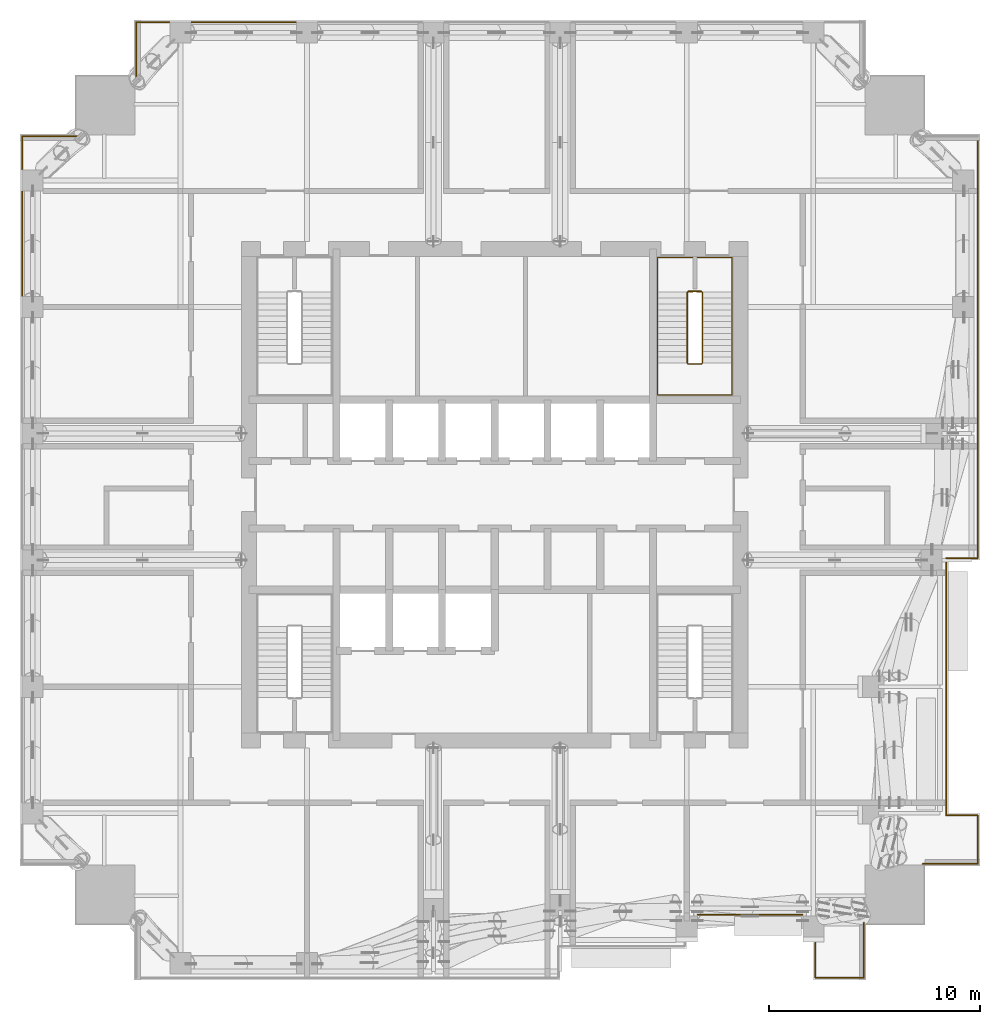
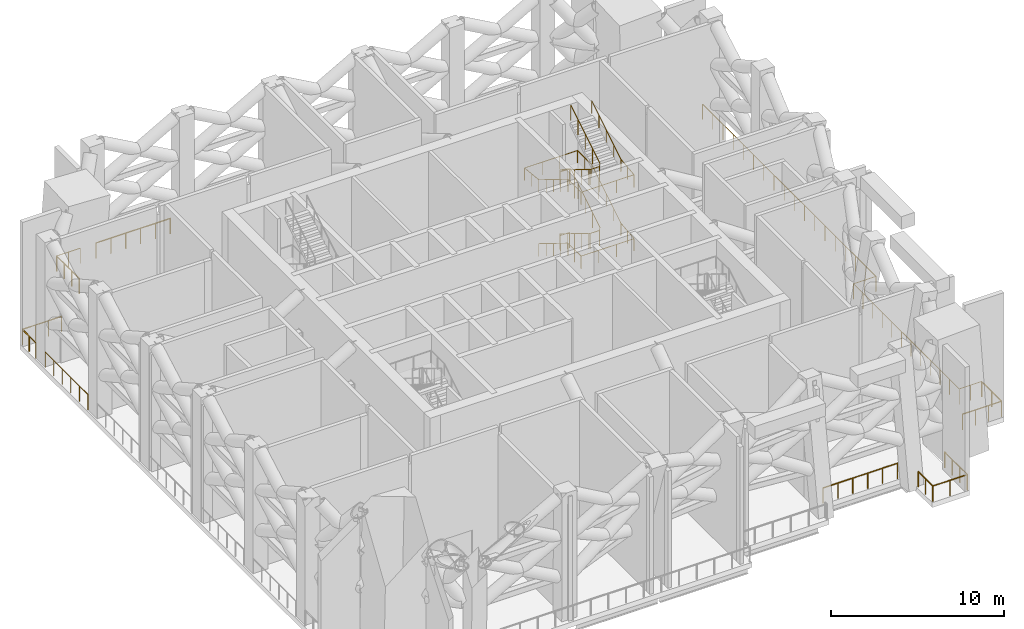
# One storey, part 17 of 18: 18 railings.
"""IFC4 building model written with IfcOpenShell, lengths in metres."""

import ifcopenshell
import ifcopenshell.guid

model = None  # the IFC model being written
_history = None  # IfcOwnerHistory: only IFC2X3 demands one
_inside = {}  # id of a spatial element -> (the spatial element, [elements in it])
_under = {}  # id of a project, library or spatial element -> (it, [spatial elements below it])
_declared = {}  # id of a project -> (the project, [libraries it declares])
_typed = {}  # id of a type object -> (the type object, [elements of that type])
_made_of = {}  # id of a material, layer set ... -> (it, [elements and type objects made of it])


def new_model(schema):
    """Start an empty IFC model of exactly this schema.

    Asked for "IFC4X3", IfcOpenShell would pick the latest addendum, in which some entities
    have other attributes; the version numbers below select the first issue.
    IFC2X3 requires an IfcOwnerHistory on every rooted entity: one is made here for all.
    """
    global model, _history
    if schema == "IFC4X3":
        model = ifcopenshell.file(schema_version=(4, 3, 0, 0))
    else:
        model = ifcopenshell.file(schema=schema)
    _inside.clear()
    _under.clear()
    _declared.clear()
    _typed.clear()
    _made_of.clear()
    _history = None
    if model.schema == "IFC2X3":
        org = make("IfcOrganization", Name="unknown")
        user = make(
            "IfcPersonAndOrganization",
            ThePerson=make("IfcPerson", FamilyName="unknown"),
            TheOrganization=org,
        )
        app = make(
            "IfcApplication",
            ApplicationDeveloper=org,
            Version="unknown",
            ApplicationFullName="unknown",
            ApplicationIdentifier="unknown",
        )
        _history = make(
            "IfcOwnerHistory",
            OwningUser=user,
            OwningApplication=app,
            ChangeAction="ADDED",
            CreationDate=0,
        )
    return model


def make(cls, **values):
    """One entity of the class cls with the attributes given. An attribute that is None is left unset."""
    return model.create_entity(
        cls, **{name: value for name, value in values.items() if value is not None}
    )


def rooted(cls, **values):
    """An entity with a GlobalId (a new one), such as an element, a storey or a relation."""
    return make(cls, GlobalId=ifcopenshell.guid.new(), OwnerHistory=_history, **values)


def si_unit(unit_type, name, prefix=None):
    """IfcSIUnit, for example si_unit("LENGTHUNIT", "METRE", prefix="MILLI")."""
    return make("IfcSIUnit", UnitType=unit_type, Prefix=prefix, Name=name)


def assignment(units):
    """IfcUnitAssignment: the units of a project."""
    return None if units is None else make("IfcUnitAssignment", Units=units)


def point(xyz):
    """IfcCartesianPoint."""
    return None if xyz is None else make("IfcCartesianPoint", Coordinates=xyz)


def direction(xyz):
    """IfcDirection."""
    return None if xyz is None else make("IfcDirection", DirectionRatios=xyz)


def frame(location, z_axis=None, x_axis=None):
    """IfcAxis2Placement3D, a coordinate frame: its origin and axes. An axis left out is left unset."""
    return make(
        "IfcAxis2Placement3D",
        Location=point(location),
        Axis=direction(z_axis),
        RefDirection=direction(x_axis),
    )


def frame_2d(location, x_axis=None):
    """IfcAxis2Placement2D, a coordinate frame in the plane: its origin and x axis."""
    return make(
        "IfcAxis2Placement2D", Location=point(location), RefDirection=direction(x_axis)
    )


def origin():
    """The frame at (0, 0, 0) with its axes left unset."""
    return frame((0.0, 0.0, 0.0))


def origin_2d():
    """The frame at (0, 0) in the plane with its x axis left unset."""
    return frame_2d((0.0, 0.0))


def place(relative_to, where):
    """IfcLocalPlacement: puts the frame where relative to a parent placement (None: the world)."""
    return make(
        "IfcLocalPlacement", PlacementRelTo=relative_to, RelativePlacement=where
    )


def context(
    kind, dimensions, precision=None, world=None, true_north=None, identifier=None
):
    """IfcGeometricRepresentationContext, for example the 3D "Model" context."""
    return make(
        "IfcGeometricRepresentationContext",
        ContextIdentifier=identifier,
        ContextType=kind,
        CoordinateSpaceDimension=dimensions,
        Precision=precision,
        WorldCoordinateSystem=world,
        TrueNorth=true_north,
    )


def subcontext(parent, identifier, kind, view, scale=None):
    """IfcGeometricRepresentationSubContext, for example "Body" below "Model"."""
    return make(
        "IfcGeometricRepresentationSubContext",
        ContextIdentifier=identifier,
        ContextType=kind,
        ParentContext=parent,
        TargetScale=scale,
        TargetView=view,
    )


def project(units=None, contexts=None):
    """IfcProject with its units and contexts."""
    return rooted(
        "IfcProject",
        Name="project",
        RepresentationContexts=contexts,
        UnitsInContext=assignment(units),
    )


def spatial(cls, under=None, at=None, **own):
    """A site, building, storey or space (cls), placed at a placement, below another one or the project."""
    s = rooted(cls, ObjectPlacement=at, **own)
    if under is not None:
        _under.setdefault(under.id(), (under, []))[1].append(s)
    return s


def profile(cls, at=None, kind="AREA", **sizes):
    """A parametric profile (cls). Its sizes go by their IFC names, for example OverallWidth=200.0."""
    return make(cls, ProfileType=kind, Position=at, **sizes)


def circle(**sizes):
    """IfcCircleProfileDef."""
    return profile("IfcCircleProfileDef", **sizes)


def extrude(swept, where, along, depth):
    """IfcExtrudedAreaSolid: the profile swept, set in the frame where, extruded along a direction by depth."""
    return make(
        "IfcExtrudedAreaSolid",
        SweptArea=swept,
        Position=where,
        ExtrudedDirection=direction(along),
        Depth=depth,
    )


def shape(context_of_items, identifier, shape_type, items):
    """IfcShapeRepresentation: the items that make up one representation, for example the "Body"."""
    return make(
        "IfcShapeRepresentation",
        ContextOfItems=context_of_items,
        RepresentationIdentifier=identifier,
        RepresentationType=shape_type,
        Items=items,
    )


def material(Name=None, Category=None):
    """IfcMaterial."""
    return make("IfcMaterial", Name=Name, Category=Category)


def made_of(thing, what):
    """Note that an element or type object is made of a material, layer set ...; save() writes the relation."""
    if what is not None:
        _made_of.setdefault(what.id(), (what, []))[1].append(thing)
    return thing


def type_object(cls, material=None, **own):
    """A type object (cls), such as IfcWallType, which elements share."""
    return made_of(rooted(cls, **own), material)


def element(
    cls,
    number,
    at=None,
    inside=None,
    cuts=None,
    type_object=None,
    material=None,
    context=None,
    identifier="Body",
    shape_type=None,
    held_by="IfcProductDefinitionShape",
    body=None,
    shapes=None,
    **own,
):
    """One element of the class cls, such as IfcWall. Its Tag is "e" and its number.

    at: its placement. inside: the storey or other place that contains it. cuts: it is an
    opening in that element (IfcRelVoidsElement). A single representation is given by context,
    identifier, shape_type and body (its items); several are given by shapes. held_by: the class
    of the entity that holds the representations. save() writes the other relations.
    """
    e = rooted(cls, Tag="e%d" % number, ObjectPlacement=at, **own)
    if body is not None:
        shapes = [shape(context, identifier, shape_type, body)]
    if shapes is not None:
        e.Representation = make(held_by, Representations=shapes)
    if inside is not None:
        _inside.setdefault(inside.id(), (inside, []))[1].append(e)
    if cuts is not None:
        rooted(
            "IfcRelVoidsElement", RelatingBuildingElement=cuts, RelatedOpeningElement=e
        )
    if type_object is not None:
        _typed.setdefault(type_object.id(), (type_object, []))[1].append(e)
    return made_of(e, material)


def aggregate(whole, parts):
    """IfcRelAggregates: a whole, such as a stair, and the parts it consists of."""
    return rooted("IfcRelAggregates", RelatingObject=whole, RelatedObjects=parts)


def save(model, path):
    """Write the relations noted so far, then the file.

    IfcRelAggregates (storeys below a building ...), IfcRelContainedInSpatialStructure (elements
    in a storey), IfcRelDefinesByType, IfcRelAssociatesMaterial and IfcRelDeclares: one each for
    every whole, place, type object, material and project.
    """
    for whole, parts in _under.values():
        aggregate(whole, parts)
    for where, things in _inside.values():
        rooted(
            "IfcRelContainedInSpatialStructure",
            RelatedElements=things,
            RelatingStructure=where,
        )
    for kind, things in _typed.values():
        rooted("IfcRelDefinesByType", RelatedObjects=things, RelatingType=kind)
    for what, things in _made_of.values():
        rooted("IfcRelAssociatesMaterial", RelatedObjects=things, RelatingMaterial=what)
    for by, libraries in _declared.values():
        rooted("IfcRelDeclares", RelatingContext=by, RelatedDefinitions=libraries)
    model.write(path)


model = new_model("IFC4")

# Units and contexts
model_context = context("Model", 3, precision=1e-05, world=origin(), true_north=direction((0.0, 1.0)))
body_context = subcontext(model_context, "Body", "Model", "MODEL_VIEW")
ifc_project = project(units=[si_unit("LENGTHUNIT", "METRE"), si_unit("AREAUNIT", "SQUARE_METRE"), si_unit("VOLUMEUNIT", "CUBIC_METRE"), si_unit("PLANEANGLEUNIT", "RADIAN"), si_unit("MASSUNIT", "GRAM", prefix="KILO")], contexts=[model_context])

# Site, building, storey
site_placement = place(None, origin())
site = spatial("IfcSite", under=ifc_project, at=site_placement, CompositionType="ELEMENT")
building_placement = place(site_placement, origin())
building = spatial("IfcBuilding", under=site, at=building_placement, Name="Amberfall Residences", CompositionType="ELEMENT")
storey_placement = place(building_placement, frame((0.0, 0.0, 178.0)))
storey = spatial("IfcBuildingStorey", under=building, at=storey_placement, Name="L48", CompositionType="ELEMENT", Elevation=178.0)

# Railings
ifc_material_1 = material(Name="Bronze anodised aluminium and laminated glass", Category="aluminium")
railing_type_1 = type_object("IfcRailingType", Name="Refuge edge guard 1100", PredefinedType="GUARDRAIL", material=ifc_material_1)
railing_1_placement = place(storey_placement, frame((92.0, 22.60009765625, 0.0)))
element("IfcRailing", 1, at=railing_1_placement, inside=storey, type_object=railing_type_1, Name="Refuge edge guard L48 1", PredefinedType="GUARDRAIL", context=body_context, shape_type="SweptSolid", body=[
    extrude(circle(Radius=0.02392578125, at=origin_2d()), frame((0.0, 0.0, 1.076171875), z_axis=(-1.0, 0.0, 0.0), x_axis=(0.0, -1.0, 0.0)), (0.0, 0.0, 1.0), 2.300048828125),
    extrude(circle(Radius=0.02099609375, at=origin_2d()), origin(), (0.0, 0.0, 1.0), 1.052001953125),
    extrude(circle(Radius=0.02099609375, at=origin_2d()), frame((-1.14990234375, 0.0, 0.0)), (0.0, 0.0, 1.0), 1.052001953125),
    extrude(circle(Radius=0.02099609375, at=origin_2d()), frame((-2.300048828125, 0.0, 0.0)), (0.0, 0.0, 1.0), 1.052001953125),
])
railing_2_placement = place(storey_placement, frame((89.699951171875, 22.60009765625, 0.0)))
element("IfcRailing", 2, at=railing_2_placement, inside=storey, type_object=railing_type_1, Name="Refuge edge guard L48 2", PredefinedType="GUARDRAIL", context=body_context, shape_type="SweptSolid", body=[
    extrude(circle(Radius=0.02392578125, at=origin_2d()), frame((0.0, 0.0, 1.076171875), z_axis=(0.0, 1.0, 0.0), x_axis=(-1.0, 0.0, 0.0)), (0.0, 0.0, 1.0), 1.669921875),
    extrude(circle(Radius=0.02099609375, at=origin_2d()), origin(), (0.0, 0.0, 1.0), 1.052001953125),
    extrude(circle(Radius=0.02099609375, at=origin_2d()), frame((0.0, 0.8349609375, 0.0)), (0.0, 0.0, 1.0), 1.052001953125),
    extrude(circle(Radius=0.02099609375, at=origin_2d()), frame((0.0, 1.669921875, 0.0)), (0.0, 0.0, 1.0), 1.052001953125),
])
railing_3_placement = place(storey_placement, frame((89.080810546875, 25.60009765625, 0.0)))
element("IfcRailing", 3, at=railing_3_placement, inside=storey, type_object=railing_type_1, Name="Refuge edge guard L48 3", PredefinedType="GUARDRAIL", context=body_context, shape_type="SweptSolid", body=[
    extrude(circle(Radius=0.02392578125, at=origin_2d()), frame((0.0, 0.0, 1.076171875), z_axis=(-1.0, 0.0, 0.0), x_axis=(0.0, -1.0, 0.0)), (0.0, 0.0, 1.0), 4.96142578125),
    extrude(circle(Radius=0.02099609375, at=origin_2d()), origin(), (0.0, 0.0, 1.0), 1.052001953125),
    extrude(circle(Radius=0.02099609375, at=origin_2d()), frame((-0.9921875, 0.0, 0.0)), (0.0, 0.0, 1.0), 1.052001953125),
    extrude(circle(Radius=0.02099609375, at=origin_2d()), frame((-1.984619140625, 0.0, 0.0)), (0.0, 0.0, 1.0), 1.052001953125),
    extrude(circle(Radius=0.02099609375, at=origin_2d()), frame((-2.976806640625, 0.0, 0.0)), (0.0, 0.0, 1.0), 1.052001953125),
    extrude(circle(Radius=0.02099609375, at=origin_2d()), frame((-3.96923828125, 0.0, 0.0)), (0.0, 0.0, 1.0), 1.052001953125),
    extrude(circle(Radius=0.02099609375, at=origin_2d()), frame((-4.96142578125, 0.0, 0.0)), (0.0, 0.0, 1.0), 1.052001953125),
])
railing_4_placement = place(storey_placement, frame((52.10009765625, 54.929931640625, 0.0)))
element("IfcRailing", 4, at=railing_4_placement, inside=storey, type_object=railing_type_1, Name="Refuge edge guard L48 15", PredefinedType="GUARDRAIL", context=body_context, shape_type="SweptSolid", body=[
    extrude(circle(Radius=0.02392578125, at=origin_2d()), frame((0.0, 0.0, 1.076171875), z_axis=(0.0, 1.0, 0.0), x_axis=(-1.0, 0.0, 0.0)), (0.0, 0.0, 1.0), 4.940185546875),
    extrude(circle(Radius=0.02099609375, at=origin_2d()), origin(), (0.0, 0.0, 1.0), 1.052001953125),
    extrude(circle(Radius=0.02099609375, at=origin_2d()), frame((0.0, 0.988037109375, 0.0)), (0.0, 0.0, 1.0), 1.052001953125),
    extrude(circle(Radius=0.02099609375, at=origin_2d()), frame((0.0, 1.97607421875, 0.0)), (0.0, 0.0, 1.0), 1.052001953125),
    extrude(circle(Radius=0.02099609375, at=origin_2d()), frame((0.0, 2.964111328125, 0.0)), (0.0, 0.0, 1.0), 1.052001953125),
    extrude(circle(Radius=0.02099609375, at=origin_2d()), frame((0.0, 3.9521484375, 0.0)), (0.0, 0.0, 1.0), 1.052001953125),
    extrude(circle(Radius=0.02099609375, at=origin_2d()), frame((0.0, 4.940185546875, 0.0)), (0.0, 0.0, 1.0), 1.052001953125),
])
railing_5_placement = place(storey_placement, frame((52.10009765625, 60.929931640625, 0.0)))
element("IfcRailing", 5, at=railing_5_placement, inside=storey, type_object=railing_type_1, Name="Refuge edge guard L48 16", PredefinedType="GUARDRAIL", context=body_context, shape_type="SweptSolid", body=[
    extrude(circle(Radius=0.02392578125, at=origin_2d()), frame((0.0, 0.0, 1.076171875), z_axis=(0.0, 1.0, 0.0), x_axis=(-1.0, 0.0, 0.0)), (0.0, 0.0, 1.0), 1.570068359375),
    extrude(circle(Radius=0.02099609375, at=origin_2d()), origin(), (0.0, 0.0, 1.0), 1.052001953125),
    extrude(circle(Radius=0.02099609375, at=origin_2d()), frame((0.0, 0.78515625, 0.0)), (0.0, 0.0, 1.0), 1.052001953125),
    extrude(circle(Radius=0.02099609375, at=origin_2d()), frame((0.0, 1.570068359375, 0.0)), (0.0, 0.0, 1.0), 1.052001953125),
])
railing_6_placement = place(storey_placement, frame((52.10009765625, 62.5, 0.0)))
element("IfcRailing", 6, at=railing_6_placement, inside=storey, type_object=railing_type_1, Name="Refuge edge guard L48 17", PredefinedType="GUARDRAIL", context=body_context, shape_type="SweptSolid", body=[
    extrude(circle(Radius=0.02392578125, at=origin_2d()), frame((0.0, 0.0, 1.076171875), z_axis=(1.0, 0.0, 0.0), x_axis=(0.0, 1.0, 0.0)), (0.0, 0.0, 1.0), 2.608154296875),
    extrude(circle(Radius=0.02099609375, at=origin_2d()), origin(), (0.0, 0.0, 1.0), 1.052001953125),
    extrude(circle(Radius=0.02099609375, at=origin_2d()), frame((0.869384765625, 0.0, 0.0)), (0.0, 0.0, 1.0), 1.052001953125),
    extrude(circle(Radius=0.02099609375, at=origin_2d()), frame((1.73876953125, 0.0, 0.0)), (0.0, 0.0, 1.0), 1.052001953125),
    extrude(circle(Radius=0.02099609375, at=origin_2d()), frame((2.608154296875, 0.0, 0.0)), (0.0, 0.0, 1.0), 1.052001953125),
])
railing_7_placement = place(storey_placement, frame((57.5, 65.291748046875, 0.0)))
element("IfcRailing", 7, at=railing_7_placement, inside=storey, type_object=railing_type_1, Name="Refuge edge guard L48 18", PredefinedType="GUARDRAIL", context=body_context, shape_type="SweptSolid", body=[
    extrude(circle(Radius=0.02392578125, at=origin_2d()), frame((0.0, 0.0, 1.076171875), z_axis=(0.0, 1.0, 0.0), x_axis=(-1.0, 0.0, 0.0)), (0.0, 0.0, 1.0), 2.608154296875),
    extrude(circle(Radius=0.02099609375, at=origin_2d()), origin(), (0.0, 0.0, 1.0), 1.052001953125),
    extrude(circle(Radius=0.02099609375, at=origin_2d()), frame((0.0, 0.869384765625, 0.0)), (0.0, 0.0, 1.0), 1.052001953125),
    extrude(circle(Radius=0.02099609375, at=origin_2d()), frame((0.0, 1.73876953125, 0.0)), (0.0, 0.0, 1.0), 1.052001953125),
    extrude(circle(Radius=0.02099609375, at=origin_2d()), frame((0.0, 2.608154296875, 0.0)), (0.0, 0.0, 1.0), 1.052001953125),
])
railing_8_placement = place(storey_placement, frame((57.5, 67.89990234375, 0.0)))
element("IfcRailing", 8, at=railing_8_placement, inside=storey, type_object=railing_type_1, Name="Refuge edge guard L48 19", PredefinedType="GUARDRAIL", context=body_context, shape_type="SweptSolid", body=[
    extrude(circle(Radius=0.02392578125, at=origin_2d()), frame((0.0, 0.0, 1.076171875), z_axis=(1.0, 0.0, 0.0), x_axis=(0.0, 1.0, 0.0)), (0.0, 0.0, 1.0), 1.570068359375),
    extrude(circle(Radius=0.02099609375, at=origin_2d()), origin(), (0.0, 0.0, 1.0), 1.052001953125),
    extrude(circle(Radius=0.02099609375, at=origin_2d()), frame((0.78515625, 0.0, 0.0)), (0.0, 0.0, 1.0), 1.052001953125),
    extrude(circle(Radius=0.02099609375, at=origin_2d()), frame((1.570068359375, 0.0, 0.0)), (0.0, 0.0, 1.0), 1.052001953125),
])
railing_9_placement = place(storey_placement, frame((60.1298828125, 67.89990234375, 0.0)))
element("IfcRailing", 9, at=railing_9_placement, inside=storey, type_object=railing_type_1, Name="Refuge edge guard L48 20", PredefinedType="GUARDRAIL", context=body_context, shape_type="SweptSolid", body=[
    extrude(circle(Radius=0.02392578125, at=origin_2d()), frame((0.0, 0.0, 1.076171875), z_axis=(1.0, 0.0, 0.0), x_axis=(0.0, 1.0, 0.0)), (0.0, 0.0, 1.0), 4.940185546875),
    extrude(circle(Radius=0.02099609375, at=origin_2d()), origin(), (0.0, 0.0, 1.0), 1.052001953125),
    extrude(circle(Radius=0.02099609375, at=origin_2d()), frame((0.988037109375, 0.0, 0.0)), (0.0, 0.0, 1.0), 1.052001953125),
    extrude(circle(Radius=0.02099609375, at=origin_2d()), frame((1.97607421875, 0.0, 0.0)), (0.0, 0.0, 1.0), 1.052001953125),
    extrude(circle(Radius=0.02099609375, at=origin_2d()), frame((2.964111328125, 0.0, 0.0)), (0.0, 0.0, 1.0), 1.052001953125),
    extrude(circle(Radius=0.02099609375, at=origin_2d()), frame((3.9521484375, 0.0, 0.0)), (0.0, 0.0, 1.0), 1.052001953125),
    extrude(circle(Radius=0.02099609375, at=origin_2d()), frame((4.940185546875, 0.0, 0.0)), (0.0, 0.0, 1.0), 1.052001953125),
])
railing_10_placement = place(storey_placement, frame((97.39990234375, 62.5, 0.0)))
element("IfcRailing", 10, at=railing_10_placement, inside=storey, type_object=railing_type_1, Name="Refuge edge guard L48 28", PredefinedType="GUARDRAIL", context=body_context, shape_type="SweptSolid", body=[
    extrude(circle(Radius=0.02392578125, at=origin_2d()), frame((0.0, 0.0, 1.076171875), z_axis=(0.0, -1.0, 0.0), x_axis=(1.0, 0.0, 0.0)), (0.0, 0.0, 1.0), 20.0),
    extrude(circle(Radius=0.02099609375, at=origin_2d()), origin(), (0.0, 0.0, 1.0), 1.052001953125),
    extrude(circle(Radius=0.02099609375, at=origin_2d()), frame((0.0, -1.176513671875, 0.0)), (0.0, 0.0, 1.0), 1.052001953125),
    extrude(circle(Radius=0.02099609375, at=origin_2d()), frame((0.0, -2.35302734375, 0.0)), (0.0, 0.0, 1.0), 1.052001953125),
    extrude(circle(Radius=0.02099609375, at=origin_2d()), frame((0.0, -3.529296875, 0.0)), (0.0, 0.0, 1.0), 1.052001953125),
    extrude(circle(Radius=0.02099609375, at=origin_2d()), frame((0.0, -4.705810546875, 0.0)), (0.0, 0.0, 1.0), 1.052001953125),
    extrude(circle(Radius=0.02099609375, at=origin_2d()), frame((0.0, -5.88232421875, 0.0)), (0.0, 0.0, 1.0), 1.052001953125),
    extrude(circle(Radius=0.02099609375, at=origin_2d()), frame((0.0, -7.058837890625, 0.0)), (0.0, 0.0, 1.0), 1.052001953125),
    extrude(circle(Radius=0.02099609375, at=origin_2d()), frame((0.0, -8.2353515625, 0.0)), (0.0, 0.0, 1.0), 1.052001953125),
    extrude(circle(Radius=0.02099609375, at=origin_2d()), frame((0.0, -9.411865234375, 0.0)), (0.0, 0.0, 1.0), 1.052001953125),
    extrude(circle(Radius=0.02099609375, at=origin_2d()), frame((0.0, -10.588134765625, 0.0)), (0.0, 0.0, 1.0), 1.052001953125),
    extrude(circle(Radius=0.02099609375, at=origin_2d()), frame((0.0, -11.7646484375, 0.0)), (0.0, 0.0, 1.0), 1.052001953125),
    extrude(circle(Radius=0.02099609375, at=origin_2d()), frame((0.0, -12.941162109375, 0.0)), (0.0, 0.0, 1.0), 1.052001953125),
    extrude(circle(Radius=0.02099609375, at=origin_2d()), frame((0.0, -14.11767578125, 0.0)), (0.0, 0.0, 1.0), 1.052001953125),
    extrude(circle(Radius=0.02099609375, at=origin_2d()), frame((0.0, -15.294189453125, 0.0)), (0.0, 0.0, 1.0), 1.052001953125),
    extrude(circle(Radius=0.02099609375, at=origin_2d()), frame((0.0, -16.470703125, 0.0)), (0.0, 0.0, 1.0), 1.052001953125),
    extrude(circle(Radius=0.02099609375, at=origin_2d()), frame((0.0, -17.64697265625, 0.0)), (0.0, 0.0, 1.0), 1.052001953125),
    extrude(circle(Radius=0.02099609375, at=origin_2d()), frame((0.0, -18.823486328125, 0.0)), (0.0, 0.0, 1.0), 1.052001953125),
    extrude(circle(Radius=0.02099609375, at=origin_2d()), frame((0.0, -20.0, 0.0)), (0.0, 0.0, 1.0), 1.052001953125),
])
railing_11_placement = place(storey_placement, frame((97.39990234375, 42.5, 0.0)))
element("IfcRailing", 11, at=railing_11_placement, inside=storey, type_object=railing_type_1, Name="Refuge edge guard L48 29", PredefinedType="GUARDRAIL", context=body_context, shape_type="SweptSolid", body=[
    extrude(circle(Radius=0.02392578125, at=origin_2d()), frame((0.0, 0.0, 1.076171875), z_axis=(-1.0, 0.0, 0.0), x_axis=(0.0, -1.0, 0.0)), (0.0, 0.0, 1.0), 1.5),
    extrude(circle(Radius=0.02099609375, at=origin_2d()), origin(), (0.0, 0.0, 1.0), 1.052001953125),
    extrude(circle(Radius=0.02099609375, at=origin_2d()), frame((-0.75, 0.0, 0.0)), (0.0, 0.0, 1.0), 1.052001953125),
    extrude(circle(Radius=0.02099609375, at=origin_2d()), frame((-1.5, 0.0, 0.0)), (0.0, 0.0, 1.0), 1.052001953125),
])
railing_12_placement = place(storey_placement, frame((95.89990234375, 42.5, 0.0)))
element("IfcRailing", 12, at=railing_12_placement, inside=storey, type_object=railing_type_1, Name="Refuge edge guard L48 30", PredefinedType="GUARDRAIL", context=body_context, shape_type="SweptSolid", body=[
    extrude(circle(Radius=0.02392578125, at=origin_2d()), frame((0.0, 0.0, 1.076171875), z_axis=(0.0, -1.0, 0.0), x_axis=(1.0, 0.0, 0.0)), (0.0, 0.0, 1.0), 12.199951171875),
    extrude(circle(Radius=0.02099609375, at=origin_2d()), origin(), (0.0, 0.0, 1.0), 1.052001953125),
    extrude(circle(Radius=0.02099609375, at=origin_2d()), frame((0.0, -1.109130859375, 0.0)), (0.0, 0.0, 1.0), 1.052001953125),
    extrude(circle(Radius=0.02099609375, at=origin_2d()), frame((0.0, -2.21826171875, 0.0)), (0.0, 0.0, 1.0), 1.052001953125),
    extrude(circle(Radius=0.02099609375, at=origin_2d()), frame((0.0, -3.3271484375, 0.0)), (0.0, 0.0, 1.0), 1.052001953125),
    extrude(circle(Radius=0.02099609375, at=origin_2d()), frame((0.0, -4.436279296875, 0.0)), (0.0, 0.0, 1.0), 1.052001953125),
    extrude(circle(Radius=0.02099609375, at=origin_2d()), frame((0.0, -5.54541015625, 0.0)), (0.0, 0.0, 1.0), 1.052001953125),
    extrude(circle(Radius=0.02099609375, at=origin_2d()), frame((0.0, -6.654541015625, 0.0)), (0.0, 0.0, 1.0), 1.052001953125),
    extrude(circle(Radius=0.02099609375, at=origin_2d()), frame((0.0, -7.763671875, 0.0)), (0.0, 0.0, 1.0), 1.052001953125),
    extrude(circle(Radius=0.02099609375, at=origin_2d()), frame((0.0, -8.872802734375, 0.0)), (0.0, 0.0, 1.0), 1.052001953125),
    extrude(circle(Radius=0.02099609375, at=origin_2d()), frame((0.0, -9.981689453125, 0.0)), (0.0, 0.0, 1.0), 1.052001953125),
    extrude(circle(Radius=0.02099609375, at=origin_2d()), frame((0.0, -11.0908203125, 0.0)), (0.0, 0.0, 1.0), 1.052001953125),
    extrude(circle(Radius=0.02099609375, at=origin_2d()), frame((0.0, -12.199951171875, 0.0)), (0.0, 0.0, 1.0), 1.052001953125),
])
railing_13_placement = place(storey_placement, frame((95.89990234375, 30.300048828125, 0.0)))
element("IfcRailing", 13, at=railing_13_placement, inside=storey, type_object=railing_type_1, Name="Refuge edge guard L48 31", PredefinedType="GUARDRAIL", context=body_context, shape_type="SweptSolid", body=[
    extrude(circle(Radius=0.02392578125, at=origin_2d()), frame((0.0, 0.0, 1.076171875), z_axis=(1.0, 0.0, 0.0), x_axis=(0.0, 1.0, 0.0)), (0.0, 0.0, 1.0), 1.5),
    extrude(circle(Radius=0.02099609375, at=origin_2d()), origin(), (0.0, 0.0, 1.0), 1.052001953125),
    extrude(circle(Radius=0.02099609375, at=origin_2d()), frame((0.75, 0.0, 0.0)), (0.0, 0.0, 1.0), 1.052001953125),
    extrude(circle(Radius=0.02099609375, at=origin_2d()), frame((1.5, 0.0, 0.0)), (0.0, 0.0, 1.0), 1.052001953125),
])
railing_14_placement = place(storey_placement, frame((97.39990234375, 30.300048828125, 0.0)))
element("IfcRailing", 14, at=railing_14_placement, inside=storey, type_object=railing_type_1, Name="Refuge edge guard L48 32", PredefinedType="GUARDRAIL", context=body_context, shape_type="SweptSolid", body=[
    extrude(circle(Radius=0.02392578125, at=origin_2d()), frame((0.0, 0.0, 1.076171875), z_axis=(0.0, -1.0, 0.0), x_axis=(1.0, 0.0, 0.0)), (0.0, 0.0, 1.0), 2.300048828125),
    extrude(circle(Radius=0.02099609375, at=origin_2d()), origin(), (0.0, 0.0, 1.0), 1.052001953125),
    extrude(circle(Radius=0.02099609375, at=origin_2d()), frame((0.0, -1.14990234375, 0.0)), (0.0, 0.0, 1.0), 1.052001953125),
    extrude(circle(Radius=0.02099609375, at=origin_2d()), frame((0.0, -2.300048828125, 0.0)), (0.0, 0.0, 1.0), 1.052001953125),
])
railing_15_placement = place(storey_placement, frame((97.39990234375, 28.0, 0.0)))
element("IfcRailing", 15, at=railing_15_placement, inside=storey, type_object=railing_type_1, Name="Refuge edge guard L48 33", PredefinedType="GUARDRAIL", context=body_context, shape_type="SweptSolid", body=[
    extrude(circle(Radius=0.02392578125, at=origin_2d()), frame((0.0, 0.0, 1.076171875), z_axis=(-1.0, 0.0, 0.0), x_axis=(0.0, -1.0, 0.0)), (0.0, 0.0, 1.0), 2.608154296875),
    extrude(circle(Radius=0.02099609375, at=origin_2d()), origin(), (0.0, 0.0, 1.0), 1.052001953125),
    extrude(circle(Radius=0.02099609375, at=origin_2d()), frame((-0.869384765625, 0.0, 0.0)), (0.0, 0.0, 1.0), 1.052001953125),
    extrude(circle(Radius=0.02099609375, at=origin_2d()), frame((-1.73876953125, 0.0, 0.0)), (0.0, 0.0, 1.0), 1.052001953125),
    extrude(circle(Radius=0.02099609375, at=origin_2d()), frame((-2.608154296875, 0.0, 0.0)), (0.0, 0.0, 1.0), 1.052001953125),
])
railing_16_placement = place(storey_placement, frame((92.0, 25.208251953125, 0.0)))
element("IfcRailing", 16, at=railing_16_placement, inside=storey, type_object=railing_type_1, Name="Refuge edge guard L48 34", PredefinedType="GUARDRAIL", context=body_context, shape_type="SweptSolid", body=[
    extrude(circle(Radius=0.02392578125, at=origin_2d()), frame((0.0, 0.0, 1.076171875), z_axis=(0.0, -1.0, 0.0), x_axis=(1.0, 0.0, 0.0)), (0.0, 0.0, 1.0), 2.608154296875),
    extrude(circle(Radius=0.02099609375, at=origin_2d()), origin(), (0.0, 0.0, 1.0), 1.052001953125),
    extrude(circle(Radius=0.02099609375, at=origin_2d()), frame((0.0, -0.869384765625, 0.0)), (0.0, 0.0, 1.0), 1.052001953125),
    extrude(circle(Radius=0.02099609375, at=origin_2d()), frame((0.0, -1.73876953125, 0.0)), (0.0, 0.0, 1.0), 1.052001953125),
    extrude(circle(Radius=0.02099609375, at=origin_2d()), frame((0.0, -2.608154296875, 0.0)), (0.0, 0.0, 1.0), 1.052001953125),
])
ifc_material_2 = material(Name="Stainless steel 316", Category="steel")
railing_type_2 = type_object("IfcRailingType", Name="Stair guard 1100", PredefinedType="GUARDRAIL", material=ifc_material_2)
railing_17_placement = place(storey_placement, frame((84.300048828125, 55.14990234375, 0.0)))
element("IfcRailing", 17, at=railing_17_placement, inside=storey, type_object=railing_type_2, Name="L48 stair 3 guard", PredefinedType="GUARDRAIL", context=body_context, shape_type="SweptSolid", body=[
    extrude(circle(Radius=0.02392578125, at=origin_2d()), frame((0.0, 0.0, 1.076171875), z_axis=(-1.0, 0.0, 0.0), x_axis=(0.0, -1.0, 0.0)), (0.0, 0.0, 1.0), 0.625),
    extrude(circle(Radius=0.02392578125, at=origin_2d()), frame((-0.625, 0.0, 1.076171875), z_axis=(-0.267723051232, -0.266417085129, 0.925929967433), x_axis=(0.705375805398, -0.708833529934, 0.0)), (0.0, 0.0, 1.0), 0.18701171875),
    extrude(circle(Radius=0.02392578125, at=origin_2d()), frame((-0.675048828125, -0.0498046875, 1.2490234375), z_axis=(0.0, -0.850623216509, 0.525775754039), x_axis=(1.0, 0.0, 0.0)), (0.0, 0.0, 1.0), 3.9501953125),
    extrude(circle(Radius=0.02392578125, at=origin_2d()), frame((-0.675048828125, -3.409912109375, 3.326171875), z_axis=(0.707106781187, -0.707106781187, 0.0), x_axis=(0.707106781187, 0.707106781187, 0.0)), (0.0, 0.0, 1.0), 0.07080078125),
    extrude(circle(Radius=0.02392578125, at=origin_2d()), frame((-0.625, -3.4599609375, 3.326171875), z_axis=(1.0, 0.0, 0.0), x_axis=(0.0, 1.0, 0.0)), (0.0, 0.0, 1.0), 0.625),
    extrude(circle(Radius=0.02392578125, at=origin_2d()), frame((0.0, -3.4599609375, 3.326171875), z_axis=(0.267629722418, 0.267629722418, 0.925607186314), x_axis=(-0.707106781187, 0.707106781187, 0.0)), (0.0, 0.0, 1.0), 0.18701171875),
    extrude(circle(Radius=0.02392578125, at=origin_2d()), frame((0.050048828125, -3.409912109375, 3.4990234375), z_axis=(0.0, 0.850623216509, 0.525775754039), x_axis=(-1.0, 0.0, 0.0)), (0.0, 0.0, 1.0), 3.9501953125),
    extrude(circle(Radius=0.02392578125, at=origin_2d()), frame((0.050048828125, -0.0498046875, 5.576171875), z_axis=(-0.997289362464, 0.073579396001, 0.0), x_axis=(-0.073579396001, -0.997289362464, 0.0)), (0.0, 0.0, 1.0), 0.677001953125),
    extrude(circle(Radius=0.02392578125, at=origin_2d()), frame((-0.625, 0.0, 5.576171875), z_axis=(1.0, 0.0, 0.0), x_axis=(0.0, 1.0, 0.0)), (0.0, 0.0, 1.0), 0.625),
    extrude(circle(Radius=0.02392578125, at=origin_2d()), frame((0.0, 0.0, 5.576171875), z_axis=(-0.966197387094, -0.071285449174, 0.247751879729), x_axis=(0.073579396001, -0.997289362464, 0.0)), (0.0, 0.0, 1.0), 0.69873046875),
    extrude(circle(Radius=0.02392578125, at=origin_2d()), frame((-0.675048828125, -0.0498046875, 5.7490234375), z_axis=(0.0, -0.850623216509, 0.525775754039), x_axis=(1.0, 0.0, 0.0)), (0.0, 0.0, 1.0), 3.9501953125),
    extrude(circle(Radius=0.02392578125, at=origin_2d()), frame((-0.675048828125, -3.409912109375, 7.826171875), z_axis=(0.707106781187, -0.707106781187, 0.0), x_axis=(0.707106781187, 0.707106781187, 0.0)), (0.0, 0.0, 1.0), 0.07080078125),
    extrude(circle(Radius=0.02392578125, at=origin_2d()), frame((-0.625, -3.4599609375, 7.826171875), z_axis=(1.0, 0.0, 0.0), x_axis=(0.0, 1.0, 0.0)), (0.0, 0.0, 1.0), 0.625),
    extrude(circle(Radius=0.02392578125, at=origin_2d()), frame((0.0, -3.4599609375, 7.826171875), z_axis=(0.267629722418, 0.267629722418, 0.925607186314), x_axis=(-0.707106781187, 0.707106781187, 0.0)), (0.0, 0.0, 1.0), 0.18701171875),
    extrude(circle(Radius=0.02392578125, at=origin_2d()), frame((0.050048828125, -3.409912109375, 7.9990234375), z_axis=(0.0, 0.850623216509, 0.525775754039), x_axis=(-1.0, 0.0, 0.0)), (0.0, 0.0, 1.0), 3.9501953125),
    extrude(circle(Radius=0.02099609375, at=origin_2d()), origin(), (0.0, 0.0, 1.0), 1.052001953125),
    extrude(circle(Radius=0.02099609375, at=origin_2d()), frame((-0.625, 0.0, 0.0)), (0.0, 0.0, 1.0), 1.052001953125),
    extrude(circle(Radius=0.02099609375, at=origin_2d()), frame((-0.675048828125, -0.0498046875, 0.173095703125)), (0.0, 0.0, 1.0), 1.052001953125),
    extrude(circle(Radius=0.02099609375, at=origin_2d()), frame((-0.675048828125, -0.889892578125, 0.6923828125)), (0.0, 0.0, 1.0), 1.052001953125),
    extrude(circle(Radius=0.02099609375, at=origin_2d()), frame((-0.675048828125, -1.72998046875, 1.21142578125)), (0.0, 0.0, 1.0), 1.052001953125),
    extrude(circle(Radius=0.02099609375, at=origin_2d()), frame((-0.675048828125, -2.56982421875, 1.730712890625)), (0.0, 0.0, 1.0), 1.052001953125),
    extrude(circle(Radius=0.02099609375, at=origin_2d()), frame((-0.675048828125, -3.409912109375, 2.25)), (0.0, 0.0, 1.0), 1.052001953125),
    extrude(circle(Radius=0.02099609375, at=origin_2d()), frame((-0.625, -3.4599609375, 2.25)), (0.0, 0.0, 1.0), 1.052001953125),
    extrude(circle(Radius=0.02099609375, at=origin_2d()), frame((0.0, -3.4599609375, 2.25)), (0.0, 0.0, 1.0), 1.052001953125),
    extrude(circle(Radius=0.02099609375, at=origin_2d()), frame((0.050048828125, -3.409912109375, 2.423095703125)), (0.0, 0.0, 1.0), 1.052001953125),
    extrude(circle(Radius=0.02099609375, at=origin_2d()), frame((0.050048828125, -2.56982421875, 2.9423828125)), (0.0, 0.0, 1.0), 1.052001953125),
    extrude(circle(Radius=0.02099609375, at=origin_2d()), frame((0.050048828125, -1.72998046875, 3.46142578125)), (0.0, 0.0, 1.0), 1.052001953125),
    extrude(circle(Radius=0.02099609375, at=origin_2d()), frame((0.050048828125, -0.889892578125, 3.980712890625)), (0.0, 0.0, 1.0), 1.052001953125),
    extrude(circle(Radius=0.02099609375, at=origin_2d()), frame((0.050048828125, -0.0498046875, 4.5)), (0.0, 0.0, 1.0), 1.052001953125),
    extrude(circle(Radius=0.02099609375, at=origin_2d()), frame((-0.625, 0.0, 4.5)), (0.0, 0.0, 1.0), 1.052001953125),
    extrude(circle(Radius=0.02099609375, at=origin_2d()), frame((0.0, 0.0, 4.5)), (0.0, 0.0, 1.0), 1.052001953125),
    extrude(circle(Radius=0.02099609375, at=origin_2d()), frame((-0.675048828125, -0.0498046875, 4.673095703125)), (0.0, 0.0, 1.0), 1.052001953125),
    extrude(circle(Radius=0.02099609375, at=origin_2d()), frame((-0.675048828125, -0.889892578125, 5.1923828125)), (0.0, 0.0, 1.0), 1.052001953125),
    extrude(circle(Radius=0.02099609375, at=origin_2d()), frame((-0.675048828125, -1.72998046875, 5.71142578125)), (0.0, 0.0, 1.0), 1.052001953125),
    extrude(circle(Radius=0.02099609375, at=origin_2d()), frame((-0.675048828125, -2.56982421875, 6.230712890625)), (0.0, 0.0, 1.0), 1.052001953125),
    extrude(circle(Radius=0.02099609375, at=origin_2d()), frame((-0.675048828125, -3.409912109375, 6.75)), (0.0, 0.0, 1.0), 1.052001953125),
    extrude(circle(Radius=0.02099609375, at=origin_2d()), frame((-0.625, -3.4599609375, 6.75)), (0.0, 0.0, 1.0), 1.052001953125),
    extrude(circle(Radius=0.02099609375, at=origin_2d()), frame((0.0, -3.4599609375, 6.75)), (0.0, 0.0, 1.0), 1.052001953125),
    extrude(circle(Radius=0.02099609375, at=origin_2d()), frame((0.050048828125, -3.409912109375, 6.923095703125)), (0.0, 0.0, 1.0), 1.052001953125),
    extrude(circle(Radius=0.02099609375, at=origin_2d()), frame((0.050048828125, -2.56982421875, 7.4423828125)), (0.0, 0.0, 1.0), 1.052001953125),
    extrude(circle(Radius=0.02099609375, at=origin_2d()), frame((0.050048828125, -1.72998046875, 7.96142578125)), (0.0, 0.0, 1.0), 1.052001953125),
    extrude(circle(Radius=0.02099609375, at=origin_2d()), frame((0.050048828125, -0.889892578125, 8.480712890625)), (0.0, 0.0, 1.0), 1.052001953125),
    extrude(circle(Radius=0.02099609375, at=origin_2d()), frame((0.050048828125, -0.0498046875, 9.0)), (0.0, 0.0, 1.0), 1.052001953125),
])
railing_type_3 = type_object("IfcRailingType", Name="Stair handrail 900", PredefinedType="HANDRAIL", material=ifc_material_2)
railing_18_placement = place(storey_placement, frame((82.22509765625, 55.10009765625, 0.173095703125)))
element("IfcRailing", 18, at=railing_18_placement, inside=storey, type_object=railing_type_3, Name="L48 stair 3 handrail", PredefinedType="HANDRAIL", context=body_context, shape_type="SweptSolid", body=[
    extrude(circle(Radius=0.02392578125, at=origin_2d()), frame((0.0, 0.0, 0.8759765625), z_axis=(0.0, -0.850623216509, 0.525775754039), x_axis=(1.0, 0.0, 0.0)), (0.0, 0.0, 1.0), 3.9501953125),
    extrude(circle(Radius=0.02392578125, at=origin_2d()), frame((0.0, -3.360107421875, 2.95263671875), z_axis=(0.0, -1.0, 0.0), x_axis=(1.0, 0.0, 0.0)), (0.0, 0.0, 1.0), 1.514892578125),
    extrude(circle(Radius=0.02392578125, at=origin_2d()), frame((0.0, -4.875, 2.95263671875), z_axis=(1.0, 0.0, 0.0), x_axis=(0.0, 1.0, 0.0)), (0.0, 0.0, 1.0), 3.52490234375),
    extrude(circle(Radius=0.02392578125, at=origin_2d()), frame((3.52490234375, -4.875, 2.95263671875), z_axis=(0.0, 0.993535252875, 0.113524011972), x_axis=(-1.0, 0.0, 0.0)), (0.0, 0.0, 1.0), 1.524658203125),
    extrude(circle(Radius=0.02392578125, at=origin_2d()), frame((3.52490234375, -3.360107421875, 3.1259765625), z_axis=(0.0, 0.850623216509, 0.525775754039), x_axis=(-1.0, 0.0, 0.0)), (0.0, 0.0, 1.0), 3.9501953125),
    extrude(circle(Radius=0.02392578125, at=origin_2d()), frame((3.52490234375, 0.0, 5.20263671875), z_axis=(0.0, 1.0, 0.0), x_axis=(-1.0, 0.0, 0.0)), (0.0, 0.0, 1.0), 1.64990234375),
    extrude(circle(Radius=0.02392578125, at=origin_2d()), frame((3.52490234375, 1.64990234375, 5.20263671875), z_axis=(-1.0, 0.0, 0.0), x_axis=(0.0, -1.0, 0.0)), (0.0, 0.0, 1.0), 3.52490234375),
    extrude(circle(Radius=0.02392578125, at=origin_2d()), frame((0.0, 1.64990234375, 5.20263671875), z_axis=(0.0, -0.994541680457, 0.104340049045), x_axis=(1.0, 0.0, 0.0)), (0.0, 0.0, 1.0), 1.658935546875),
    extrude(circle(Radius=0.02392578125, at=origin_2d()), frame((0.0, 0.0, 5.3759765625), z_axis=(0.0, -0.850623216509, 0.525775754039), x_axis=(1.0, 0.0, 0.0)), (0.0, 0.0, 1.0), 3.9501953125),
    extrude(circle(Radius=0.02392578125, at=origin_2d()), frame((0.0, -3.360107421875, 7.45263671875), z_axis=(0.0, -1.0, 0.0), x_axis=(1.0, 0.0, 0.0)), (0.0, 0.0, 1.0), 1.514892578125),
    extrude(circle(Radius=0.02392578125, at=origin_2d()), frame((0.0, -4.875, 7.45263671875), z_axis=(1.0, 0.0, 0.0), x_axis=(0.0, 1.0, 0.0)), (0.0, 0.0, 1.0), 3.52490234375),
    extrude(circle(Radius=0.02392578125, at=origin_2d()), frame((3.52490234375, -4.875, 7.45263671875), z_axis=(0.0, 0.993535252875, 0.113524011972), x_axis=(-1.0, 0.0, 0.0)), (0.0, 0.0, 1.0), 1.524658203125),
    extrude(circle(Radius=0.02392578125, at=origin_2d()), frame((3.52490234375, -3.360107421875, 7.6259765625), z_axis=(0.0, 0.850623216509, 0.525775754039), x_axis=(-1.0, 0.0, 0.0)), (0.0, 0.0, 1.0), 3.9501953125),
    extrude(circle(Radius=0.02099609375, at=origin_2d()), origin(), (0.0, 0.0, 1.0), 0.851806640625),
    extrude(circle(Radius=0.02099609375, at=origin_2d()), frame((0.0, -0.840087890625, 0.519287109375)), (0.0, 0.0, 1.0), 0.851806640625),
    extrude(circle(Radius=0.02099609375, at=origin_2d()), frame((0.0, -1.68017578125, 1.03857421875)), (0.0, 0.0, 1.0), 0.851806640625),
    extrude(circle(Radius=0.02099609375, at=origin_2d()), frame((0.0, -2.52001953125, 1.5576171875)), (0.0, 0.0, 1.0), 0.851806640625),
    extrude(circle(Radius=0.02099609375, at=origin_2d()), frame((0.0, -3.360107421875, 2.076904296875)), (0.0, 0.0, 1.0), 0.851806640625),
    extrude(circle(Radius=0.02099609375, at=origin_2d()), frame((0.0, -4.11767578125, 2.076904296875)), (0.0, 0.0, 1.0), 0.851806640625),
    extrude(circle(Radius=0.02099609375, at=origin_2d()), frame((0.0, -4.875, 2.076904296875)), (0.0, 0.0, 1.0), 0.851806640625),
    extrude(circle(Radius=0.02099609375, at=origin_2d()), frame((1.175048828125, -4.875, 2.076904296875)), (0.0, 0.0, 1.0), 0.851806640625),
    extrude(circle(Radius=0.02099609375, at=origin_2d()), frame((2.349853515625, -4.875, 2.076904296875)), (0.0, 0.0, 1.0), 0.851806640625),
    extrude(circle(Radius=0.02099609375, at=origin_2d()), frame((3.52490234375, -4.875, 2.076904296875)), (0.0, 0.0, 1.0), 0.851806640625),
    extrude(circle(Radius=0.02099609375, at=origin_2d()), frame((3.52490234375, -4.11767578125, 2.16357421875)), (0.0, 0.0, 1.0), 0.851806640625),
    extrude(circle(Radius=0.02099609375, at=origin_2d()), frame((3.52490234375, -3.360107421875, 2.25)), (0.0, 0.0, 1.0), 0.851806640625),
    extrude(circle(Radius=0.02099609375, at=origin_2d()), frame((3.52490234375, -2.52001953125, 2.769287109375)), (0.0, 0.0, 1.0), 0.851806640625),
    extrude(circle(Radius=0.02099609375, at=origin_2d()), frame((3.52490234375, -1.68017578125, 3.28857421875)), (0.0, 0.0, 1.0), 0.851806640625),
    extrude(circle(Radius=0.02099609375, at=origin_2d()), frame((3.52490234375, -0.840087890625, 3.8076171875)), (0.0, 0.0, 1.0), 0.851806640625),
    extrude(circle(Radius=0.02099609375, at=origin_2d()), frame((3.52490234375, 0.0, 4.326904296875)), (0.0, 0.0, 1.0), 0.851806640625),
    extrude(circle(Radius=0.02099609375, at=origin_2d()), frame((3.52490234375, 0.824951171875, 4.326904296875)), (0.0, 0.0, 1.0), 0.851806640625),
    extrude(circle(Radius=0.02099609375, at=origin_2d()), frame((3.52490234375, 1.64990234375, 4.326904296875)), (0.0, 0.0, 1.0), 0.851806640625),
    extrude(circle(Radius=0.02099609375, at=origin_2d()), frame((2.349853515625, 1.64990234375, 4.326904296875)), (0.0, 0.0, 1.0), 0.851806640625),
    extrude(circle(Radius=0.02099609375, at=origin_2d()), frame((1.175048828125, 1.64990234375, 4.326904296875)), (0.0, 0.0, 1.0), 0.851806640625),
    extrude(circle(Radius=0.02099609375, at=origin_2d()), frame((0.0, 1.64990234375, 4.326904296875)), (0.0, 0.0, 1.0), 0.851806640625),
    extrude(circle(Radius=0.02099609375, at=origin_2d()), frame((0.0, 0.824951171875, 4.41357421875)), (0.0, 0.0, 1.0), 0.851806640625),
    extrude(circle(Radius=0.02099609375, at=origin_2d()), frame((0.0, 0.0, 4.5)), (0.0, 0.0, 1.0), 0.851806640625),
    extrude(circle(Radius=0.02099609375, at=origin_2d()), frame((0.0, -0.840087890625, 5.019287109375)), (0.0, 0.0, 1.0), 0.851806640625),
    extrude(circle(Radius=0.02099609375, at=origin_2d()), frame((0.0, -1.68017578125, 5.53857421875)), (0.0, 0.0, 1.0), 0.851806640625),
    extrude(circle(Radius=0.02099609375, at=origin_2d()), frame((0.0, -2.52001953125, 6.0576171875)), (0.0, 0.0, 1.0), 0.851806640625),
    extrude(circle(Radius=0.02099609375, at=origin_2d()), frame((0.0, -3.360107421875, 6.576904296875)), (0.0, 0.0, 1.0), 0.851806640625),
    extrude(circle(Radius=0.02099609375, at=origin_2d()), frame((0.0, -4.11767578125, 6.576904296875)), (0.0, 0.0, 1.0), 0.851806640625),
    extrude(circle(Radius=0.02099609375, at=origin_2d()), frame((0.0, -4.875, 6.576904296875)), (0.0, 0.0, 1.0), 0.851806640625),
    extrude(circle(Radius=0.02099609375, at=origin_2d()), frame((1.175048828125, -4.875, 6.576904296875)), (0.0, 0.0, 1.0), 0.851806640625),
    extrude(circle(Radius=0.02099609375, at=origin_2d()), frame((2.349853515625, -4.875, 6.576904296875)), (0.0, 0.0, 1.0), 0.851806640625),
    extrude(circle(Radius=0.02099609375, at=origin_2d()), frame((3.52490234375, -4.875, 6.576904296875)), (0.0, 0.0, 1.0), 0.851806640625),
    extrude(circle(Radius=0.02099609375, at=origin_2d()), frame((3.52490234375, -4.11767578125, 6.66357421875)), (0.0, 0.0, 1.0), 0.851806640625),
    extrude(circle(Radius=0.02099609375, at=origin_2d()), frame((3.52490234375, -3.360107421875, 6.75)), (0.0, 0.0, 1.0), 0.851806640625),
    extrude(circle(Radius=0.02099609375, at=origin_2d()), frame((3.52490234375, -2.52001953125, 7.269287109375)), (0.0, 0.0, 1.0), 0.851806640625),
    extrude(circle(Radius=0.02099609375, at=origin_2d()), frame((3.52490234375, -1.68017578125, 7.78857421875)), (0.0, 0.0, 1.0), 0.851806640625),
    extrude(circle(Radius=0.02099609375, at=origin_2d()), frame((3.52490234375, -0.840087890625, 8.3076171875)), (0.0, 0.0, 1.0), 0.851806640625),
    extrude(circle(Radius=0.02099609375, at=origin_2d()), frame((3.52490234375, 0.0, 8.826904296875)), (0.0, 0.0, 1.0), 0.851806640625),
])

save(model, "model.ifc")
